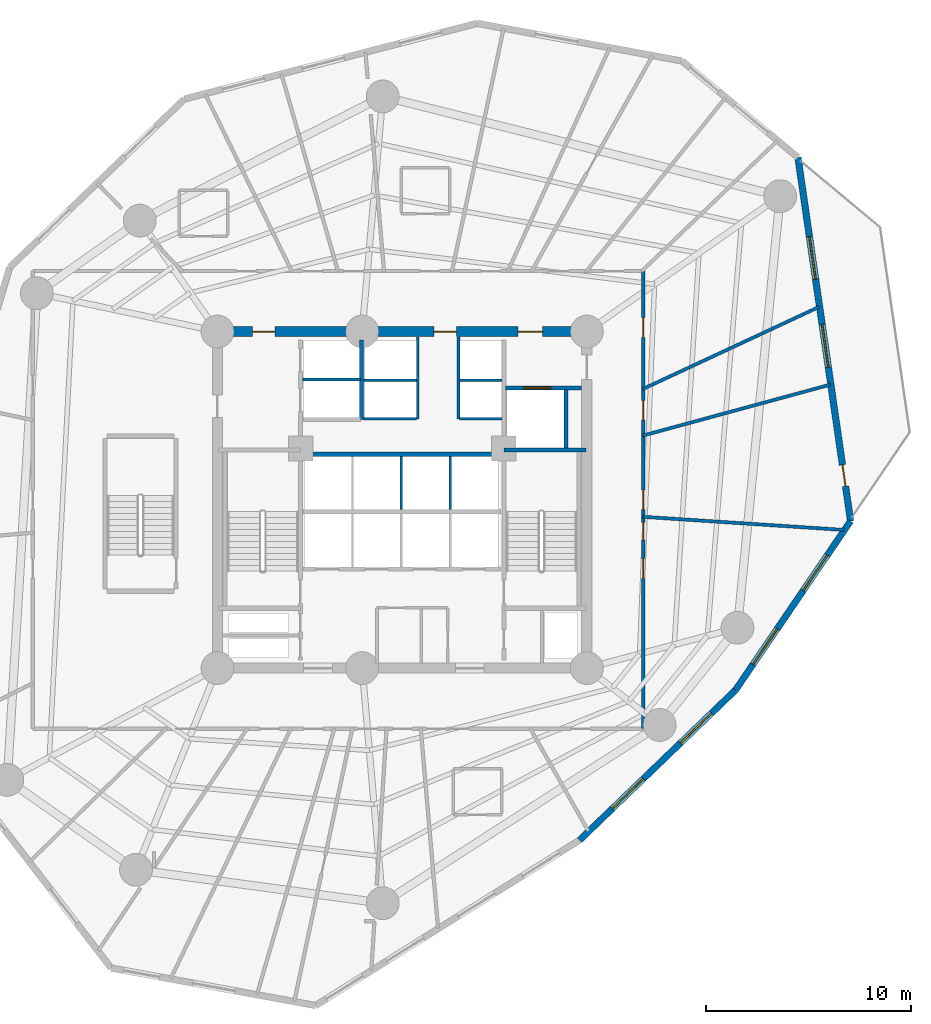
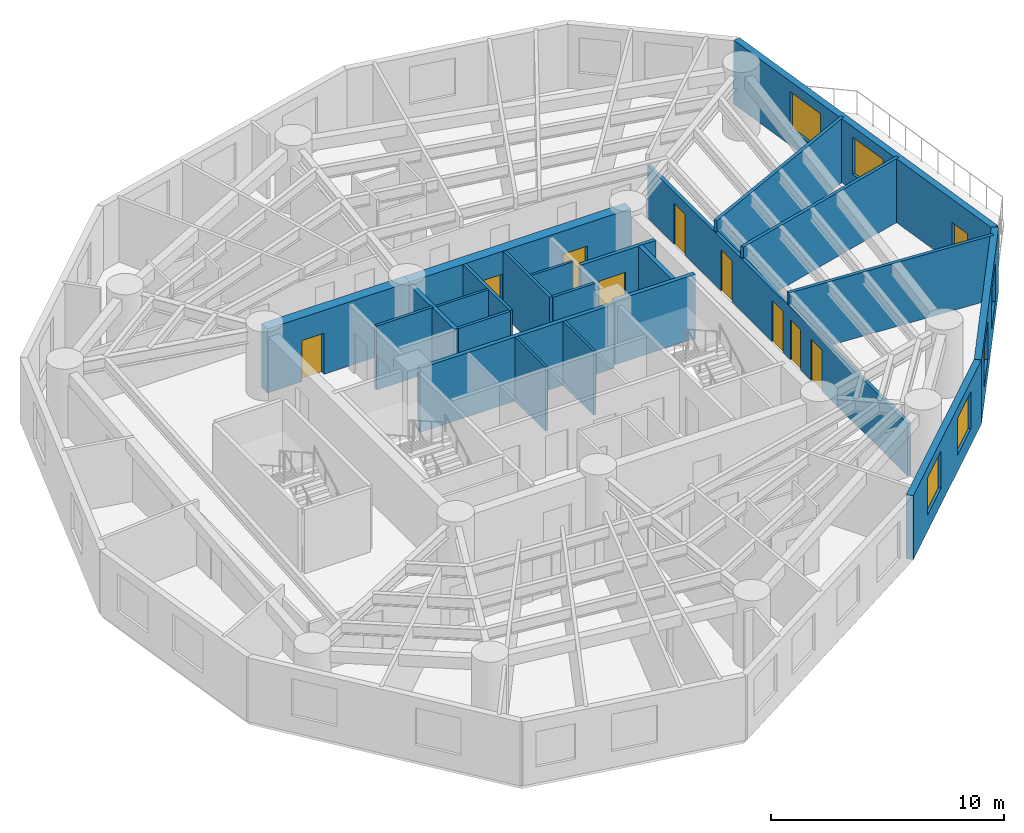
# One storey, part 5 of 9: 23 walls, 10 doors, 6 windows, 16 openings.
"""IFC4 building model written with IfcOpenShell, lengths in metres."""

from ifc_helpers import new_model, si_unit, direction, frame, frame_2d, origin, origin_with_axes, place, context, subcontext, project, spatial, rectangle, extrude, source, transform, mapped, material, layer, layer_set, type_object, element, fill, save


model = new_model("IFC4")

# Units and contexts
model_context = context("Model", 3, precision=1e-05, world=origin(), true_north=direction((0.0, 1.0)))
body_context = subcontext(model_context, "Body", "Model", "MODEL_VIEW")
ifc_project = project(units=[si_unit("LENGTHUNIT", "METRE"), si_unit("AREAUNIT", "SQUARE_METRE"), si_unit("VOLUMEUNIT", "CUBIC_METRE"), si_unit("PLANEANGLEUNIT", "RADIAN"), si_unit("MASSUNIT", "GRAM", prefix="KILO")], contexts=[model_context])

# Site, building, storey
site_placement = place(None, origin())
site = spatial("IfcSite", under=ifc_project, at=site_placement, CompositionType="ELEMENT")
building_placement = place(site_placement, origin())
building = spatial("IfcBuilding", under=site, at=building_placement, Name="Karkom Vertical University and Central Library", CompositionType="ELEMENT")
storey_placement = place(building_placement, frame((0.0, 0.0, 69.699951171875)))
storey = spatial("IfcBuildingStorey", under=building, at=storey_placement, Name="L18", CompositionType="ELEMENT", Elevation=69.699951171875)

# Wall, openings, windows
ifc_material_1 = material(Name="Brick-faced precast concrete C45/55", Category="masonry")
ifc_layer_1 = layer(ifc_material_1, 0.320068359375)
ifc_layer_set_1 = layer_set([ifc_layer_1], Name="Brick-faced precast concrete C45/55")
wall_type_1 = type_object("IfcWallType", Name="ENV-WL-BRK-320", PredefinedType="SOLIDWALL", material=ifc_layer_set_1)
wall_1_placement = place(storey_placement, frame((37.14697265625, 9.91259765625, 0.0), z_axis=(0.0, 0.0, 1.0), x_axis=(0.720315933047, 0.693646132116, 0.0)))
wall_1 = element("IfcWall", 1, at=wall_1_placement, inside=storey, type_object=wall_type_1, Name="Level 18 Brick-Faced Precast Facade Wall 06", PredefinedType="SOLIDWALL", context=body_context, shape_type="SweptSolid", body=[
    extrude(rectangle(XDim=10.5546875, YDim=0.320068359375, at=frame_2d((5.27734375, 0.0))), origin(), (0.0, 0.0, 1.0), 3.35009765625),
])
opening_1_placement = place(wall_1_placement, frame((2.202392578125, 0.0, 0.85009765625)))
opening_1 = element("IfcOpeningElement", 2, at=opening_1_placement, cuts=wall_1, Name="Opening WN-03", PredefinedType="OPENING", context=body_context, shape_type="SweptSolid", body=[
    extrude(rectangle(XDim=2.10009765625, YDim=1.949951171875, at=frame_2d((1.050048828125, 0.97509765625))), frame((0.0, 0.169921875, 0.0), z_axis=(0.0, -1.0, 0.0), x_axis=(1.0, 0.0, 0.0)), (0.0, 0.0, 1.0), 0.340087890625),
])
opening_2_placement = place(wall_1_placement, frame((6.8173828125, 0.0, 0.85009765625)))
opening_2 = element("IfcOpeningElement", 3, at=opening_2_placement, cuts=wall_1, Name="Opening WN-03", PredefinedType="OPENING", context=body_context, shape_type="SweptSolid", body=[
    extrude(rectangle(XDim=2.10009765625, YDim=1.949951171875, at=frame_2d((1.050048828125, 0.97509765625))), frame((0.0, 0.169921875, 0.0), z_axis=(0.0, -1.0, 0.0), x_axis=(1.0, 0.0, 0.0)), (0.0, 0.0, 1.0), 0.340087890625),
])
ifc_material_2 = material(Name="Aluminium thermal-break frame with solar-control IGU", Category="aluminium")
window_type = type_object("IfcWindowType", Name="ENV-WIN-WN-03", PartitioningType="SINGLE_PANEL", PredefinedType="WINDOW", material=ifc_material_2)
shared_shape_1 = source(origin_with_axes(), body_context, "Body", "SweptSolid", [
    extrude(rectangle(XDim=2.10009765625, YDim=1.949951171875, at=frame_2d((1.050048828125, 0.97509765625))), frame((0.0, 0.030029296875, 0.0), z_axis=(0.0, -1.0, 0.0), x_axis=(1.0, 0.0, 0.0)), (0.0, 0.0, 1.0), 0.06005859375),
])
window_1_placement = place(opening_1_placement, origin())
window_1 = element("IfcWindow", 4, at=window_1_placement, inside=storey, type_object=window_type, Name="Level 18 Punched Window 6.1", OverallHeight=1.949951171875, OverallWidth=2.10009765625, PartitioningType="SINGLE_PANEL", PredefinedType="WINDOW", context=body_context, shape_type="MappedRepresentation", body=[
    mapped(shared_shape_1, transform((0.0, 0.0, 0.0), scale=1.0)),
])
fill(opening_1, window_1)
window_2_placement = place(opening_2_placement, origin())
window_2 = element("IfcWindow", 5, at=window_2_placement, inside=storey, type_object=window_type, Name="Level 18 Punched Window 6.2", OverallHeight=1.949951171875, OverallWidth=2.10009765625, PartitioningType="SINGLE_PANEL", PredefinedType="WINDOW", context=body_context, shape_type="MappedRepresentation", body=[
    mapped(shared_shape_1, transform((0.0, 0.0, 0.0), scale=1.0)),
])
fill(opening_2, window_2)

wall_2_placement = place(storey_placement, frame((44.749755859375, 17.23388671875, 0.0), z_axis=(0.0, 0.0, 1.0), x_axis=(0.562654071803, 0.826692443103, 0.0)))
wall_2 = element("IfcWall", 6, at=wall_2_placement, inside=storey, type_object=wall_type_1, Name="Level 18 Brick-Faced Precast Facade Wall 07", PredefinedType="SOLIDWALL", context=body_context, shape_type="SweptSolid", body=[
    extrude(rectangle(XDim=9.95556640625, YDim=0.320068359375, at=frame_2d((4.977783203125, 0.0))), origin(), (0.0, 0.0, 1.0), 3.35009765625),
])
opening_3_placement = place(wall_2_placement, frame((1.50341796875, 0.0, 0.85009765625)))
opening_3 = element("IfcOpeningElement", 7, at=opening_3_placement, cuts=wall_2, Name="Opening WN-03", PredefinedType="OPENING", context=body_context, shape_type="SweptSolid", body=[
    extrude(rectangle(XDim=2.10009765625, YDim=1.949951171875, at=frame_2d((1.050048828125, 0.97509765625))), frame((0.0, 0.169921875, 0.0), z_axis=(0.0, -1.0, 0.0), x_axis=(1.0, 0.0, 0.0)), (0.0, 0.0, 1.0), 0.340087890625),
])
opening_4_placement = place(wall_2_placement, frame((5.8505859375, 0.0, 0.85009765625)))
opening_4 = element("IfcOpeningElement", 8, at=opening_4_placement, cuts=wall_2, Name="Opening WN-03", PredefinedType="OPENING", context=body_context, shape_type="SweptSolid", body=[
    extrude(rectangle(XDim=2.10009765625, YDim=1.949951171875, at=frame_2d((1.050048828125, 0.97509765625))), frame((0.0, 0.169921875, 0.0), z_axis=(0.0, -1.0, 0.0), x_axis=(1.0, 0.0, 0.0)), (0.0, 0.0, 1.0), 0.340087890625),
])
window_3_placement = place(opening_3_placement, origin())
window_3 = element("IfcWindow", 9, at=window_3_placement, inside=storey, type_object=window_type, Name="Level 18 Punched Window 7.1", OverallHeight=1.949951171875, OverallWidth=2.10009765625, PartitioningType="SINGLE_PANEL", PredefinedType="WINDOW", context=body_context, shape_type="MappedRepresentation", body=[
    mapped(shared_shape_1, transform((0.0, 0.0, 0.0), scale=1.0)),
])
fill(opening_3, window_3)
window_4_placement = place(opening_4_placement, origin())
window_4 = element("IfcWindow", 10, at=window_4_placement, inside=storey, type_object=window_type, Name="Level 18 Punched Window 7.2", OverallHeight=1.949951171875, OverallWidth=2.10009765625, PartitioningType="SINGLE_PANEL", PredefinedType="WINDOW", context=body_context, shape_type="MappedRepresentation", body=[
    mapped(shared_shape_1, transform((0.0, 0.0, 0.0), scale=1.0)),
])
fill(opening_4, window_4)

# Wall, openings, door, windows
wall_3_placement = place(storey_placement, frame((50.351318359375, 25.464111328125, 0.0), z_axis=(0.0, 0.0, 1.0), x_axis=(-0.14319608419, 0.989694337396, 0.0)))
wall_3 = element("IfcWall", 11, at=wall_3_placement, inside=storey, type_object=wall_type_1, Name="Level 18 Brick-Faced Precast Facade Wall 08", PredefinedType="SOLIDWALL", context=body_context, shape_type="SweptSolid", body=[
    extrude(rectangle(XDim=17.90869140625, YDim=0.320068359375, at=frame_2d((8.954345703125, 0.0))), origin(), (0.0, 0.0, 1.0), 3.35009765625),
])
opening_5_placement = place(wall_3_placement, frame((7.577880859375, 0.0, 0.85009765625)))
opening_5 = element("IfcOpeningElement", 12, at=opening_5_placement, cuts=wall_3, Name="Opening WN-03", PredefinedType="OPENING", context=body_context, shape_type="SweptSolid", body=[
    extrude(rectangle(XDim=2.10009765625, YDim=1.949951171875, at=frame_2d((1.050048828125, 0.97509765625))), frame((0.0, 0.169921875, 0.0), z_axis=(0.0, -1.0, 0.0), x_axis=(1.0, 0.0, 0.0)), (0.0, 0.0, 1.0), 0.340087890625),
])
opening_6_placement = place(wall_3_placement, frame((11.908935546875, 0.0, 0.85009765625)))
opening_6 = element("IfcOpeningElement", 13, at=opening_6_placement, cuts=wall_3, Name="Opening WN-03", PredefinedType="OPENING", context=body_context, shape_type="SweptSolid", body=[
    extrude(rectangle(XDim=2.10009765625, YDim=1.949951171875, at=frame_2d((1.050048828125, 0.97509765625))), frame((0.0, 0.169921875, 0.0), z_axis=(0.0, -1.0, 0.0), x_axis=(1.0, 0.0, 0.0)), (0.0, 0.0, 1.0), 0.340087890625),
])
opening_7_placement = place(wall_3_placement, frame((1.713623046875, 0.0, 0.0)))
opening_7 = element("IfcOpeningElement", 14, at=opening_7_placement, cuts=wall_3, Name="Opening TD-1", PredefinedType="OPENING", context=body_context, shape_type="SweptSolid", body=[
    extrude(rectangle(XDim=1.050048828125, YDim=2.1201171875, at=frame_2d((0.52490234375, 1.06005859375))), frame((0.0, 0.169921875, 0.0), z_axis=(0.0, -1.0, 0.0), x_axis=(1.0, 0.0, 0.0)), (0.0, 0.0, 1.0), 0.340087890625),
])
ifc_material_3 = material(Name="Thermally broken glazed aluminium terrace door", Category="aluminium")
door_type_1 = type_object("IfcDoorType", Name="ENV-DR-TERR", OperationType="NOTDEFINED", PredefinedType="DOOR", material=ifc_material_3)
shared_shape_2 = source(origin_with_axes(), body_context, "Body", "SweptSolid", [
    extrude(rectangle(XDim=1.050048828125, YDim=2.1201171875, at=frame_2d((0.52490234375, 1.06005859375))), frame((0.0, 0.02490234375, 0.0), z_axis=(0.0, -1.0, 0.0), x_axis=(1.0, 0.0, 0.0)), (0.0, 0.0, 1.0), 0.050048828125),
])
door_1_placement = place(opening_7_placement, origin())
door_1 = element("IfcDoor", 15, at=door_1_placement, inside=storey, type_object=door_type_1, Name="Level 18 Outdoor Terrace Access Door", OperationType="SINGLE_SWING_RIGHT", OverallHeight=2.1201171875, OverallWidth=1.050048828125, PredefinedType="DOOR", context=body_context, shape_type="MappedRepresentation", body=[
    mapped(shared_shape_2, transform((0.0, 0.0, 0.0), scale=1.0)),
])
fill(opening_7, door_1)
window_5_placement = place(opening_5_placement, origin())
window_5 = element("IfcWindow", 16, at=window_5_placement, inside=storey, type_object=window_type, Name="Level 18 Punched Window 8.2", OverallHeight=1.949951171875, OverallWidth=2.10009765625, PartitioningType="SINGLE_PANEL", PredefinedType="WINDOW", context=body_context, shape_type="MappedRepresentation", body=[
    mapped(shared_shape_1, transform((0.0, 0.0, 0.0), scale=1.0)),
])
fill(opening_5, window_5)
window_6_placement = place(opening_6_placement, origin())
window_6 = element("IfcWindow", 17, at=window_6_placement, inside=storey, type_object=window_type, Name="Level 18 Punched Window 8.3", OverallHeight=1.949951171875, OverallWidth=2.10009765625, PartitioningType="SINGLE_PANEL", PredefinedType="WINDOW", context=body_context, shape_type="MappedRepresentation", body=[
    mapped(shared_shape_1, transform((0.0, 0.0, 0.0), scale=1.0)),
])
fill(opening_6, window_6)

# Wall, openings, doors
ifc_material_4 = material(Name="Insulated metal-stud drywall 160mm", Category="gypsum")
ifc_layer_2 = layer(ifc_material_4, 0.159912109375)
ifc_layer_set_2 = layer_set([ifc_layer_2], Name="Insulated metal-stud drywall 160mm")
wall_type_2 = type_object("IfcWallType", Name="INT-WL-COR-160", PredefinedType="PARTITIONING", material=ifc_layer_set_2)
wall_4_placement = place(storey_placement, frame((40.25, 37.64990234375, 0.0), z_axis=(0.0, 0.0, 1.0), x_axis=(0.0, -1.0, 0.0)))
wall_4 = element("IfcWall", 18, at=wall_4_placement, inside=storey, type_object=wall_type_2, Name="Level 18 Interior Partition Wall L18-CORW-CW-004", PredefinedType="PARTITIONING", context=body_context, shape_type="SweptSolid", body=[
    extrude(rectangle(XDim=22.2998046875, YDim=0.159912109375, at=frame_2d((11.14990234375, 0.0))), origin(), (0.0, 0.0, 1.0), 2.75),
])
opening_8_placement = place(wall_4_placement, frame((14.02001953125, 0.0, 0.0)))
opening_8 = element("IfcOpeningElement", 19, at=opening_8_placement, cuts=wall_4, Name="Opening FD-RM2", PredefinedType="OPENING", context=body_context, shape_type="SweptSolid", body=[
    extrude(rectangle(XDim=0.9599609375, YDim=2.14990234375, at=frame_2d((0.47998046875, 1.074951171875))), frame((0.0, 0.08984375, 0.0), z_axis=(0.0, -1.0, 0.0), x_axis=(1.0, 0.0, 0.0)), (0.0, 0.0, 1.0), 0.179931640625),
])
opening_9_placement = place(wall_4_placement, frame((12.253173828125, 0.0, 0.0)))
opening_9 = element("IfcOpeningElement", 20, at=opening_9_placement, cuts=wall_4, Name="Opening FD-BTH1", PredefinedType="OPENING", context=body_context, shape_type="SweptSolid", body=[
    extrude(rectangle(XDim=0.860107421875, YDim=2.10009765625, at=frame_2d((0.43017578125, 1.050048828125))), frame((0.0, 0.08984375, 0.0), z_axis=(0.0, -1.0, 0.0), x_axis=(1.0, 0.0, 0.0)), (0.0, 0.0, 1.0), 0.179931640625),
])
opening_10_placement = place(wall_4_placement, frame((10.675048828125, 0.0, 0.0)))
opening_10 = element("IfcOpeningElement", 21, at=opening_10_placement, cuts=wall_4, Name="Opening D-RM1", PredefinedType="OPENING", context=body_context, shape_type="SweptSolid", body=[
    extrude(rectangle(XDim=0.949951171875, YDim=2.14990234375, at=frame_2d((0.47509765625, 1.074951171875))), frame((0.0, 0.08984375, 0.0), z_axis=(0.0, -1.0, 0.0), x_axis=(1.0, 0.0, 0.0)), (0.0, 0.0, 1.0), 0.179931640625),
])
opening_11_placement = place(wall_4_placement, frame((6.311767578125, 0.0, 0.0)))
opening_11 = element("IfcOpeningElement", 22, at=opening_11_placement, cuts=wall_4, Name="Opening FD-RM2", PredefinedType="OPENING", context=body_context, shape_type="SweptSolid", body=[
    extrude(rectangle(XDim=0.9599609375, YDim=2.14990234375, at=frame_2d((0.47998046875, 1.074951171875))), frame((0.0, 0.08984375, 0.0), z_axis=(0.0, -1.0, 0.0), x_axis=(1.0, 0.0, 0.0)), (0.0, 0.0, 1.0), 0.179931640625),
])
opening_12_placement = place(wall_4_placement, frame((2.270751953125, 0.0, 0.0)))
opening_12 = element("IfcOpeningElement", 23, at=opening_12_placement, cuts=wall_4, Name="Opening FD-RM2", PredefinedType="OPENING", context=body_context, shape_type="SweptSolid", body=[
    extrude(rectangle(XDim=0.9599609375, YDim=2.14990234375, at=frame_2d((0.47998046875, 1.074951171875))), frame((0.0, 0.08984375, 0.0), z_axis=(0.0, -1.0, 0.0), x_axis=(1.0, 0.0, 0.0)), (0.0, 0.0, 1.0), 0.179931640625),
])
ifc_material_5 = material(Name="Fire-rated oak veneer door", Category="wood")
door_type_2 = type_object("IfcDoorType", Name="INT-DR-FRM2", OperationType="NOTDEFINED", PredefinedType="DOOR", material=ifc_material_5)
shared_shape_3 = source(origin_with_axes(), body_context, "Body", "SweptSolid", [
    extrude(rectangle(XDim=0.9599609375, YDim=2.14990234375, at=frame_2d((0.47998046875, 1.074951171875))), frame((0.0, 0.02490234375, 0.0), z_axis=(0.0, -1.0, 0.0), x_axis=(1.0, 0.0, 0.0)), (0.0, 0.0, 1.0), 0.050048828125),
])
door_2_placement = place(opening_8_placement, origin())
door_2 = element("IfcDoor", 24, at=door_2_placement, inside=storey, type_object=door_type_2, Name="Level 18 Room Entry Door 100", OperationType="SINGLE_SWING_LEFT", OverallHeight=2.14990234375, OverallWidth=0.9599609375, PredefinedType="DOOR", context=body_context, shape_type="MappedRepresentation", body=[
    mapped(shared_shape_3, transform((0.0, 0.0, 0.0), scale=1.0)),
])
fill(opening_8, door_2)
door_3_placement = place(opening_11_placement, origin())
door_3 = element("IfcDoor", 25, at=door_3_placement, inside=storey, type_object=door_type_2, Name="Level 18 Room Entry Door 130", OperationType="SINGLE_SWING_RIGHT", OverallHeight=2.14990234375, OverallWidth=0.9599609375, PredefinedType="DOOR", context=body_context, shape_type="MappedRepresentation", body=[
    mapped(shared_shape_3, transform((0.0, 0.0, 0.0), scale=1.0)),
])
fill(opening_11, door_3)
door_4_placement = place(opening_12_placement, origin())
door_4 = element("IfcDoor", 26, at=door_4_placement, inside=storey, type_object=door_type_2, Name="Level 18 Room Entry Door 140", OperationType="SINGLE_SWING_LEFT", OverallHeight=2.14990234375, OverallWidth=0.9599609375, PredefinedType="DOOR", context=body_context, shape_type="MappedRepresentation", body=[
    mapped(shared_shape_3, transform((0.0, 0.0, 0.0), scale=1.0)),
])
fill(opening_12, door_4)
ifc_material_6 = material(Name="Fire-rated moisture-resistant oak door", Category="wood")
door_type_3 = type_object("IfcDoorType", Name="INT-DR-FBTH1", OperationType="NOTDEFINED", PredefinedType="DOOR", material=ifc_material_6)
shared_shape_4 = source(origin_with_axes(), body_context, "Body", "SweptSolid", [
    extrude(rectangle(XDim=0.860107421875, YDim=2.10009765625, at=frame_2d((0.43017578125, 1.050048828125))), frame((0.0, 0.02490234375, 0.0), z_axis=(0.0, -1.0, 0.0), x_axis=(1.0, 0.0, 0.0)), (0.0, 0.0, 1.0), 0.050048828125),
])
door_5_placement = place(opening_9_placement, origin())
door_5 = element("IfcDoor", 27, at=door_5_placement, inside=storey, type_object=door_type_3, Name="Level 18 Room Entry Door 110", OperationType="SINGLE_SWING_RIGHT", OverallHeight=2.10009765625, OverallWidth=0.860107421875, PredefinedType="DOOR", context=body_context, shape_type="MappedRepresentation", body=[
    mapped(shared_shape_4, transform((0.0, 0.0, 0.0), scale=1.0)),
])
fill(opening_9, door_5)
ifc_material_7 = material(Name="Solid-core oak veneer door", Category="wood")
door_type_4 = type_object("IfcDoorType", Name="INT-DR-RM1", OperationType="NOTDEFINED", PredefinedType="DOOR", material=ifc_material_7)
shared_shape_5 = source(origin_with_axes(), body_context, "Body", "SweptSolid", [
    extrude(rectangle(XDim=0.949951171875, YDim=2.14990234375, at=frame_2d((0.47509765625, 1.074951171875))), frame((0.0, 0.02490234375, 0.0), z_axis=(0.0, -1.0, 0.0), x_axis=(1.0, 0.0, 0.0)), (0.0, 0.0, 1.0), 0.050048828125),
])
door_6_placement = place(opening_10_placement, origin())
door_6 = element("IfcDoor", 28, at=door_6_placement, inside=storey, type_object=door_type_4, Name="Level 18 Room Entry Door 120", OperationType="SINGLE_SWING_LEFT", OverallHeight=2.14990234375, OverallWidth=0.949951171875, PredefinedType="DOOR", context=body_context, shape_type="MappedRepresentation", body=[
    mapped(shared_shape_5, transform((0.0, 0.0, 0.0), scale=1.0)),
])
fill(opening_10, door_6)

# Walls
wall_5_placement = place(storey_placement, frame((40.22021484375, 25.674072265625, 0.0), z_axis=(0.0, 0.0, 1.0), x_axis=(0.997870581646, -0.065225012725, 0.0)))
element("IfcWall", 29, at=wall_5_placement, inside=storey, type_object=wall_type_2, Name="Level 18 Interior Partition Wall L18-PW-015", PredefinedType="PARTITIONING", context=body_context, shape_type="SweptSolid", body=[
    extrude(rectangle(XDim=9.818115234375, YDim=0.159912109375, at=frame_2d((4.9091796875, 0.0))), origin(), (0.0, 0.0, 1.0), 3.35009765625),
])
wall_6_placement = place(storey_placement, frame((40.209228515625, 31.889892578125, 0.0), z_axis=(0.0, 0.0, 1.0), x_axis=(0.906426759987, 0.422363029609, 0.0)))
element("IfcWall", 30, at=wall_6_placement, inside=storey, type_object=wall_type_2, Name="Level 18 Interior Partition Wall L18-PW-017", PredefinedType="PARTITIONING", context=body_context, shape_type="SweptSolid", body=[
    extrude(rectangle(XDim=9.492431640625, YDim=0.159912109375, at=frame_2d((4.74609375, 0.0))), origin(), (0.0, 0.0, 1.0), 3.35009765625),
])
wall_7_placement = place(storey_placement, frame((40.22119140625, 29.62646484375, 0.0), z_axis=(0.0, 0.0, 1.0), x_axis=(0.96493250171, 0.262498127885, 0.0)))
element("IfcWall", 31, at=wall_7_placement, inside=storey, type_object=wall_type_2, Name="Level 18 Interior Partition Wall L18-PW-016", PredefinedType="PARTITIONING", context=body_context, shape_type="SweptSolid", body=[
    extrude(rectangle(XDim=9.474609375, YDim=0.159912109375, at=frame_2d((4.7373046875, 0.0))), origin(), (0.0, 0.0, 1.0), 3.35009765625),
])
ifc_material_8 = material(Name="Moisture-resistant drywall 120mm", Category="gypsum")
ifc_layer_3 = layer(ifc_material_8, 0.1201171875)
ifc_layer_set_3 = layer_set([ifc_layer_3], Name="Moisture-resistant drywall 120mm")
wall_type_3 = type_object("IfcWallType", Name="INT-WL-INT-120H", PredefinedType="PARTITIONING", material=ifc_layer_set_3)
for number, where, z_axis, x_axis, name in (
    (32, (28.4599609375, 26.02001953125, 0.0), (0.0, 0.0, 1.0), (0.0, 1.0, 0.0), "Level 18 Interior Partition Wall L18-CW-PM-DIV2"),
    (33, (30.840087890625, 26.02001953125, 0.0), (0.0, 0.0, 1.0), (0.0, 1.0, 0.0), "Level 18 Interior Partition Wall L18-CW-PM-DIV3"),
):
    element("IfcWall", number, at=place(storey_placement, frame(where, z_axis=z_axis, x_axis=x_axis)), inside=storey, type_object=wall_type_3, Name=name, PredefinedType="PARTITIONING", context=body_context, shape_type="SweptSolid", body=[
        extrude(rectangle(XDim=2.60009765625, YDim=0.1201171875, at=frame_2d((1.300048828125, 0.0))), origin(), (0.0, 0.0, 1.0), 3.35009765625),
    ])
wall_8_placement = place(storey_placement, frame((26.6201171875, 32.320068359375, 0.0), z_axis=(0.0, 0.0, 1.0), x_axis=(1.0, 0.0, 0.0)))
element("IfcWall", 34, at=wall_8_placement, inside=storey, type_object=wall_type_3, Name="Level 18 Interior Partition Wall L18-CW-PH-MW", PredefinedType="PARTITIONING", context=body_context, shape_type="SweptSolid", body=[
    extrude(rectangle(XDim=2.579833984375, YDim=0.1201171875, at=frame_2d((1.2900390625, 0.0))), origin(), (0.0, 0.0, 1.0), 3.35009765625),
])
wall_9_placement = place(storey_placement, frame((31.300048828125, 32.320068359375, 0.0), z_axis=(0.0, 0.0, 1.0), x_axis=(1.0, 0.0, 0.0)))
element("IfcWall", 35, at=wall_9_placement, inside=storey, type_object=wall_type_3, Name="Level 18 Interior Partition Wall L18-CW-PH-ME", PredefinedType="PARTITIONING", context=body_context, shape_type="SweptSolid", body=[
    extrude(rectangle(XDim=2.074951171875, YDim=0.1201171875, at=frame_2d((1.03759765625, 0.0))), origin(), (0.0, 0.0, 1.0), 3.35009765625),
])
ifc_material_9 = material(Name="Metal-stud gypsum partition 140mm", Category="gypsum")
ifc_layer_4 = layer(ifc_material_9, 0.139892578125)
ifc_layer_set_4 = layer_set([ifc_layer_4], Name="Metal-stud gypsum partition 140mm")
wall_type_4 = type_object("IfcWallType", Name="INT-WL-SUB-140H", PredefinedType="PARTITIONING", material=ifc_layer_set_4)
for number, where, z_axis, x_axis, name in (
    (36, (29.260009765625, 30.449951171875, 0.0), (0.0, 0.0, 1.0), (0.0, 1.0, 0.0), "Level 18 Interior Partition Wall L18-CW-PH-W"),
    (37, (31.239990234375, 30.449951171875, 0.0), (0.0, 0.0, 1.0), (0.0, 1.0, 0.0), "Level 18 Interior Partition Wall L18-CW-PH-E"),
):
    element("IfcWall", number, at=place(storey_placement, frame(where, z_axis=z_axis, x_axis=x_axis)), inside=storey, type_object=wall_type_4, Name=name, PredefinedType="PARTITIONING", context=body_context, shape_type="SweptSolid", body=[
        extrude(rectangle(XDim=3.9931640625, YDim=0.139892578125, at=frame_2d((1.99658203125, 0.0))), origin(), (0.0, 0.0, 1.0), 3.35009765625),
    ])
wall_10_placement = place(storey_placement, frame((26.6201171875, 30.449951171875, 0.0), z_axis=(0.0, 0.0, 1.0), x_axis=(1.0, 0.0, 0.0)))
element("IfcWall", 38, at=wall_10_placement, inside=storey, type_object=wall_type_4, Name="Level 18 Interior Partition Wall L18-CW-PH-S1", PredefinedType="PARTITIONING", context=body_context, shape_type="SweptSolid", body=[
    extrude(rectangle(XDim=2.579833984375, YDim=0.139892578125, at=frame_2d((1.2900390625, 0.0))), origin(), (0.0, 0.0, 1.0), 3.35009765625),
])
wall_11_placement = place(storey_placement, frame((31.300048828125, 30.449951171875, 0.0), z_axis=(0.0, 0.0, 1.0), x_axis=(1.0, 0.0, 0.0)))
element("IfcWall", 39, at=wall_11_placement, inside=storey, type_object=wall_type_4, Name="Level 18 Interior Partition Wall L18-CW-PH-S2", PredefinedType="PARTITIONING", context=body_context, shape_type="SweptSolid", body=[
    extrude(rectangle(XDim=2.074951171875, YDim=0.139892578125, at=frame_2d((1.03759765625, 0.0))), origin(), (0.0, 0.0, 1.0), 3.35009765625),
])
ifc_layer_5 = layer(ifc_material_9, 0.139892578125)
ifc_layer_set_5 = layer_set([ifc_layer_5], Name="Metal-stud gypsum partition 140mm")
wall_type_5 = type_object("IfcWallType", Name="INT-WL-SUB-140X", PredefinedType="PARTITIONING", material=ifc_layer_set_5)
wall_12_placement = place(storey_placement, frame((23.652099609375, 32.3701171875, 0.0), z_axis=(0.0, 0.0, 1.0), x_axis=(1.0, 0.0, 0.0)))
element("IfcWall", 40, at=wall_12_placement, inside=storey, type_object=wall_type_5, Name="Level 18 Interior Partition Wall L18-CW-FFL-M", PredefinedType="PARTITIONING", context=body_context, shape_type="SweptSolid", body=[
    extrude(rectangle(XDim=2.827880859375, YDim=0.139892578125, at=frame_2d((1.4140625, 0.0))), origin(), (0.0, 0.0, 1.0), 3.35009765625),
])

# Wall, opening, door
ifc_material_10 = material(Name="Twin-stud acoustic drywall 180mm", Category="gypsum")
ifc_layer_6 = layer(ifc_material_10, 0.179931640625)
ifc_layer_set_6 = layer_set([ifc_layer_6], Name="Twin-stud acoustic drywall 180mm")
wall_type_6 = type_object("IfcWallType", Name="INT-WL-TEN-180F", PredefinedType="PARTITIONING", material=ifc_layer_set_6)
wall_13_placement = place(storey_placement, frame((33.534912109375, 31.949951171875, 0.0), z_axis=(0.0, 0.0, 1.0), x_axis=(1.0, 0.0, 0.0)))
wall_13 = element("IfcWall", 41, at=wall_13_placement, inside=storey, type_object=wall_type_6, Name="Level 18 Interior Partition Wall L18-CW-SVL-N", PredefinedType="PARTITIONING", context=body_context, shape_type="SweptSolid", body=[
    extrude(rectangle(XDim=3.708740234375, YDim=0.179931640625, at=frame_2d((1.8544921875, 0.0))), origin(), (0.0, 0.0, 1.0), 3.35009765625),
])
opening_13_placement = place(wall_13_placement, frame((0.89990234375, 0.0, 0.0)))
opening_13 = element("IfcOpeningElement", 42, at=opening_13_placement, cuts=wall_13, Name="Opening LD-SV1", PredefinedType="OPENING", context=body_context, shape_type="SweptSolid", body=[
    extrude(rectangle(XDim=1.300048828125, YDim=2.199951171875, at=frame_2d((0.64990234375, 1.10009765625))), frame((0.0, 0.10009765625, 0.0), z_axis=(0.0, -1.0, 0.0), x_axis=(1.0, 0.0, 0.0)), (0.0, 0.0, 1.0), 0.199951171875),
])
ifc_material_11 = material(Name="Brushed stainless-steel landing door", Category="steel")
door_type_5 = type_object("IfcDoorType", Name="INT-DR-LD-SV1", OperationType="SLIDING_TO_LEFT", PredefinedType="DOOR", material=ifc_material_11)
shared_shape_6 = source(origin_with_axes(), body_context, "Body", "SweptSolid", [
    extrude(rectangle(XDim=1.300048828125, YDim=2.199951171875, at=frame_2d((0.64990234375, 1.10009765625))), frame((0.0, 0.02490234375, 0.0), z_axis=(0.0, -1.0, 0.0), x_axis=(1.0, 0.0, 0.0)), (0.0, 0.0, 1.0), 0.050048828125),
])
door_7_placement = place(opening_13_placement, origin())
door_7 = element("IfcDoor", 43, at=door_7_placement, inside=storey, type_object=door_type_5, Name="Level 18 Service Lift Landing Door LD-SV1", OperationType="SLIDING_TO_LEFT", OverallHeight=2.199951171875, OverallWidth=1.300048828125, PredefinedType="DOOR", context=body_context, shape_type="MappedRepresentation", body=[
    mapped(shared_shape_6, transform((0.0, 0.0, 0.0), scale=1.0)),
])
fill(opening_13, door_7)

# Wall, openings, doors
ifc_material_12 = material(Name="Concrete C50/60", Category="concrete")
ifc_layer_7 = layer(ifc_material_12, 0.5)
ifc_layer_set_7 = layer_set([ifc_layer_7], Name="Concrete C50/60")
wall_type_7 = type_object("IfcWallType", Name="STR-WL-CW-500", PredefinedType="SHEAR", material=ifc_layer_set_7)
wall_14_placement = place(storey_placement, frame((37.5, 34.699951171875, 0.0), z_axis=(0.0, 0.0, 1.0), x_axis=(-1.0, 0.0, 0.0)))
wall_14 = element("IfcWall", 44, at=wall_14_placement, inside=storey, type_object=wall_type_7, Name="Level 18 Central Core Shear Wall NW1", PredefinedType="SHEAR", context=body_context, shape_type="SweptSolid", body=[
    extrude(rectangle(XDim=10.949951171875, YDim=0.5, at=frame_2d((5.47509765625, 0.0))), origin(), (0.0, 0.0, 1.0), 3.35009765625),
])
opening_14_placement = place(wall_14_placement, frame((2.14990234375, 0.0, 0.0)))
opening_14 = element("IfcOpeningElement", 45, at=opening_14_placement, cuts=wall_14, Name="Opening FD-SUB1", PredefinedType="OPENING", context=body_context, shape_type="SweptSolid", body=[
    extrude(rectangle(XDim=1.199951171875, YDim=2.14990234375, at=frame_2d((0.60009765625, 1.074951171875))), frame((0.0, 0.260009765625, 0.0), z_axis=(0.0, -1.0, 0.0), x_axis=(1.0, 0.0, 0.0)), (0.0, 0.0, 1.0), 0.52001953125),
])
opening_15_placement = place(wall_14_placement, frame((6.35009765625, 0.0, 0.0)))
opening_15 = element("IfcOpeningElement", 46, at=opening_15_placement, cuts=wall_14, Name="Opening FD-FFL", PredefinedType="OPENING", context=body_context, shape_type="SweptSolid", body=[
    extrude(rectangle(XDim=1.10009765625, YDim=2.14990234375, at=frame_2d((0.550048828125, 1.074951171875))), frame((0.0, 0.260009765625, 0.0), z_axis=(0.0, -1.0, 0.0), x_axis=(1.0, 0.0, 0.0)), (0.0, 0.0, 1.0), 0.52001953125),
])
ifc_material_13 = material(Name="Painted steel smoke-seal fire door", Category="steel")
door_type_6 = type_object("IfcDoorType", Name="INT-DR-FFL", OperationType="NOTDEFINED", PredefinedType="DOOR", material=ifc_material_13)
shared_shape_7 = source(origin_with_axes(), body_context, "Body", "SweptSolid", [
    extrude(rectangle(XDim=1.10009765625, YDim=2.14990234375, at=frame_2d((0.550048828125, 1.074951171875))), frame((0.0, 0.02490234375, 0.0), z_axis=(0.0, -1.0, 0.0), x_axis=(1.0, 0.0, 0.0)), (0.0, 0.0, 1.0), 0.050048828125),
])
door_8_placement = place(opening_15_placement, origin())
door_8 = element("IfcDoor", 47, at=door_8_placement, inside=storey, type_object=door_type_6, Name="Level 18 North Core Lobby Exit Door", OperationType="SINGLE_SWING_RIGHT", OverallHeight=2.14990234375, OverallWidth=1.10009765625, PredefinedType="DOOR", context=body_context, shape_type="MappedRepresentation", body=[
    mapped(shared_shape_7, transform((0.0, 0.0, 0.0), scale=1.0)),
])
fill(opening_15, door_8)
ifc_material_14 = material(Name="Painted steel fire door", Category="steel")
door_type_7 = type_object("IfcDoorType", Name="INT-DR-SUB1", OperationType="NOTDEFINED", PredefinedType="DOOR", material=ifc_material_14)
shared_shape_8 = source(origin_with_axes(), body_context, "Body", "SweptSolid", [
    extrude(rectangle(XDim=1.199951171875, YDim=2.14990234375, at=frame_2d((0.60009765625, 1.074951171875))), frame((0.0, 0.02490234375, 0.0), z_axis=(0.0, -1.0, 0.0), x_axis=(1.0, 0.0, 0.0)), (0.0, 0.0, 1.0), 0.050048828125),
])
door_9_placement = place(opening_14_placement, origin())
door_9 = element("IfcDoor", 48, at=door_9_placement, inside=storey, type_object=door_type_7, Name="Level 18 Service Lobby Fire Door", OperationType="SINGLE_SWING_RIGHT", OverallHeight=2.14990234375, OverallWidth=1.199951171875, PredefinedType="DOOR", context=body_context, shape_type="MappedRepresentation", body=[
    mapped(shared_shape_8, transform((0.0, 0.0, 0.0), scale=1.0)),
])
fill(opening_14, door_9)

# Wall, opening, door
wall_15_placement = place(storey_placement, frame((26.550048828125, 34.699951171875, 0.0), z_axis=(0.0, 0.0, 1.0), x_axis=(-1.0, 0.0, 0.0)))
wall_15 = element("IfcWall", 49, at=wall_15_placement, inside=storey, type_object=wall_type_7, Name="Level 18 Central Core Shear Wall NW2", PredefinedType="SHEAR", context=body_context, shape_type="SweptSolid", body=[
    extrude(rectangle(XDim=7.050048828125, YDim=0.5, at=frame_2d((3.52490234375, 0.0))), origin(), (0.0, 0.0, 1.0), 3.35009765625),
])
opening_16_placement = place(wall_15_placement, frame((4.25, 0.0, 0.0)))
opening_16 = element("IfcOpeningElement", 50, at=opening_16_placement, cuts=wall_15, Name="Opening FD-FFL", PredefinedType="OPENING", context=body_context, shape_type="SweptSolid", body=[
    extrude(rectangle(XDim=1.10009765625, YDim=2.14990234375, at=frame_2d((0.550048828125, 1.074951171875))), frame((0.0, 0.260009765625, 0.0), z_axis=(0.0, -1.0, 0.0), x_axis=(1.0, 0.0, 0.0)), (0.0, 0.0, 1.0), 0.52001953125),
])
door_10_placement = place(opening_16_placement, origin())
door_10 = element("IfcDoor", 51, at=door_10_placement, inside=storey, type_object=door_type_6, Name="Level 18 Firefighting Lobby Door", OperationType="SINGLE_SWING_LEFT", OverallHeight=2.14990234375, OverallWidth=1.10009765625, PredefinedType="DOOR", context=body_context, shape_type="MappedRepresentation", body=[
    mapped(shared_shape_7, transform((0.0, 0.0, 0.0), scale=1.0)),
])
fill(opening_16, door_10)

# Walls
ifc_material_15 = material(Name="Concrete C45/55", Category="concrete")
ifc_layer_8 = layer(ifc_material_15, 0.199951171875)
ifc_layer_set_8 = layer_set([ifc_layer_8], Name="Concrete C45/55")
wall_type_8 = type_object("IfcWallType", Name="STR-WL-ST-200", PredefinedType="SHEAR", material=ifc_layer_set_8)
wall_16_placement = place(storey_placement, frame((23.699951171875, 28.719970703125, 0.0), z_axis=(0.0, 0.0, 1.0), x_axis=(1.0, 0.0, 0.0)))
element("IfcWall", 52, at=wall_16_placement, inside=storey, type_object=wall_type_8, Name="Level 18 Core Shaft Wall L18-CW-B2-N", PredefinedType="SHEAR", context=body_context, shape_type="SweptSolid", body=[
    extrude(rectangle(XDim=9.60009765625, YDim=0.199951171875, at=frame_2d((4.800048828125, 0.0))), origin(), (0.0, 0.0, 1.0), 3.35009765625),
])
wall_17_placement = place(storey_placement, frame((33.455078125, 28.925048828125, 0.0), z_axis=(0.0, 0.0, 1.0), x_axis=(1.0, 0.0, 0.0)))
element("IfcWall", 53, at=wall_17_placement, inside=storey, type_object=wall_type_8, Name="Level 18 Core Shaft Wall L18-CW-ST2-N", PredefinedType="SHEAR", context=body_context, shape_type="SweptSolid", body=[
    extrude(rectangle(XDim=3.994873046875, YDim=0.199951171875, at=frame_2d((1.99755859375, 0.0))), origin(), (0.0, 0.0, 1.0), 3.35009765625),
])
wall_18_placement = place(storey_placement, frame((26.52001953125, 30.419921875, 0.0), z_axis=(0.0, 0.0, 1.0), x_axis=(0.0, 1.0, 0.0)))
element("IfcWall", 54, at=wall_18_placement, inside=storey, type_object=wall_type_8, Name="Level 18 Core Shaft Wall L18-CW-FFL-E", PredefinedType="SHEAR", context=body_context, shape_type="SweptSolid", body=[
    extrude(rectangle(XDim=3.860107421875, YDim=0.199951171875, at=frame_2d((1.93017578125, 0.0))), origin(), (0.0, 0.0, 1.0), 3.35009765625),
])
wall_19_placement = place(storey_placement, frame((36.47998046875, 29.02001953125, 0.0), z_axis=(0.0, 0.0, 1.0), x_axis=(0.0, 1.0, 0.0)))
element("IfcWall", 55, at=wall_19_placement, inside=storey, type_object=wall_type_8, Name="Level 18 Core Shaft Wall L18-CW-SVL-E", PredefinedType="SHEAR", context=body_context, shape_type="SweptSolid", body=[
    extrude(rectangle(XDim=2.85986328125, YDim=0.199951171875, at=frame_2d((1.429931640625, 0.0))), origin(), (0.0, 0.0, 1.0), 3.35009765625),
])

save(model, "model.ifc")
